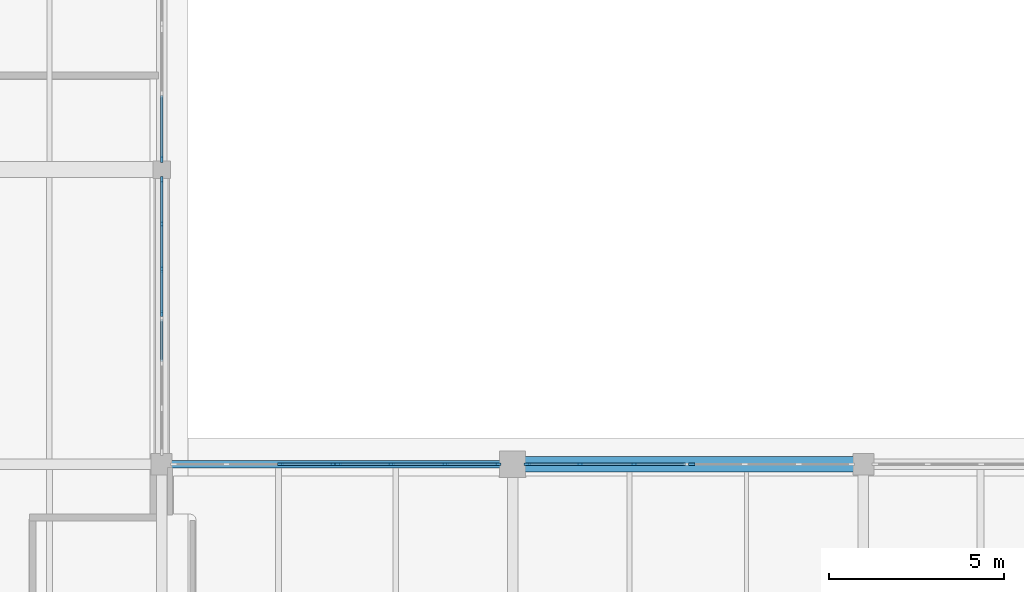
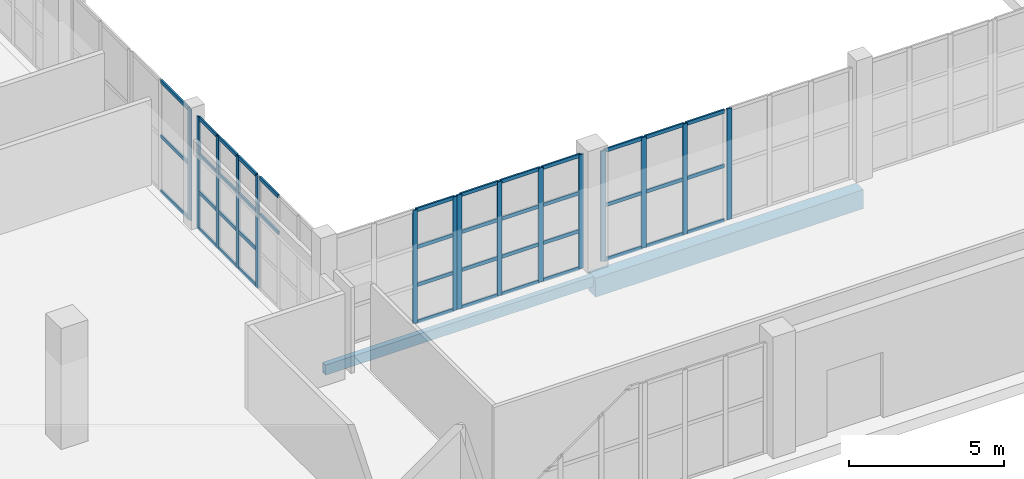
# One storey, part 30 of 121: 57 members, 2 beams, 7 elements without a shape of their own.
"""IFC4 building model written with IfcOpenShell, lengths in metres."""

from ifc_helpers import new_model, si_unit, direction, frame, origin, origin_2d, place, context, subcontext, project, spatial, rectangle, hollow_rectangle, extrude, material, layer, layer_set, material_profile, profile_set, type_object, element, aggregate, save


model = new_model("IFC4")

# Units and contexts
model_context = context("Model", 3, precision=1e-05, world=origin(), true_north=direction((0.0, 1.0)))
body_context = subcontext(model_context, "Body", "Model", "MODEL_VIEW")
ifc_project = project(units=[si_unit("LENGTHUNIT", "METRE"), si_unit("AREAUNIT", "SQUARE_METRE"), si_unit("VOLUMEUNIT", "CUBIC_METRE"), si_unit("PLANEANGLEUNIT", "RADIAN"), si_unit("MASSUNIT", "GRAM", prefix="KILO")], contexts=[model_context])

# Site, building, storey
site_placement = place(None, origin())
site = spatial("IfcSite", under=ifc_project, at=site_placement, CompositionType="ELEMENT")
building_placement = place(site_placement, origin())
building = spatial("IfcBuilding", under=site, at=building_placement, Name="Zereglee Splitstone Museum", CompositionType="ELEMENT")
storey_placement = place(building_placement, origin())
storey = spatial("IfcBuildingStorey", under=building, at=storey_placement, Name="L00", CompositionType="ELEMENT", Elevation=0.0)

# Curtain wall, member
ifc_material_1 = material(Name="Triple-glazed low-E argon glass and bronze-anodised aluminium", Category="aluminium")
ifc_layer_1 = layer(ifc_material_1, 0.179931640625)
ifc_layer_set_1 = layer_set([ifc_layer_1], Name="Triple-glazed low-E argon glass and bronze-anodised aluminium")
curtain_wall_type_1 = type_object("IfcCurtainWallType", Name="CW-0461-438", PredefinedType="USERDEFINED", material=ifc_layer_set_1)
curtain_wall_1_placement = place(storey_placement, origin())
curtain_wall_1 = element("IfcCurtainWall", 1, at=curtain_wall_1_placement, inside=storey, type_object=curtain_wall_type_1, Name="Glazed Curtain Wall CW-0461-438 (L00)", ObjectType="GLAZED CURTAIN WALL", PredefinedType="USERDEFINED")
ifc_material_2 = material(Name="Thermally broken bronze-anodised aluminium", Category="aluminium")
ifc_material_profile_1 = material_profile(ifc_material_2, rectangle(XDim=0.06494140625, YDim=0.179931640625, at=origin_2d()), Name="CW MULL 65x180")
ifc_profile_set_1 = profile_set([ifc_material_profile_1], Name="Thermally broken bronze-anodised aluminium")
member_type_1 = type_object("IfcMemberType", Name="CWM-01", PredefinedType="MULLION", material=ifc_profile_set_1)
member_1_placement = place(storey_placement, frame((160.31005859375, 21.60009765625, 0.0), z_axis=(0.0, 0.0, 1.0), x_axis=(0.0, -1.0, 0.0)))
member_1 = element("IfcMember", 2, at=member_1_placement, type_object=member_type_1, Name="CW-0461-438 mullion 4", PredefinedType="MULLION", context=body_context, shape_type="SweptSolid", body=[
    extrude(rectangle(XDim=0.06494140625, YDim=0.179931640625, at=origin_2d()), origin(), (0.0, 0.0, 1.0), 4.3798828125),
])
aggregate(curtain_wall_1, [member_1])

# Curtain wall, members
ifc_layer_2 = layer(ifc_material_1, 0.179931640625)
ifc_layer_set_2 = layer_set([ifc_layer_2], Name="Triple-glazed low-E argon glass and bronze-anodised aluminium")
curtain_wall_type_2 = type_object("IfcCurtainWallType", Name="CW-0461-436", PredefinedType="USERDEFINED", material=ifc_layer_set_2)
curtain_wall_2_placement = place(storey_placement, origin())
curtain_wall_2 = element("IfcCurtainWall", 3, at=curtain_wall_2_placement, inside=storey, type_object=curtain_wall_type_2, Name="Glazed Curtain Wall CW-0461-436 (L00)", ObjectType="GLAZED CURTAIN WALL", PredefinedType="USERDEFINED")
member_2_placement = place(storey_placement, frame((158.659423828125, 21.60009765625, 0.0), z_axis=(0.0, 0.0, 1.0), x_axis=(0.0, -1.0, 0.0)))
member_2 = element("IfcMember", 4, at=member_2_placement, type_object=member_type_1, Name="CW-0461-436 mullion 2", PredefinedType="MULLION", context=body_context, shape_type="SweptSolid", body=[
    extrude(rectangle(XDim=0.06494140625, YDim=0.179931640625, at=origin_2d()), origin(), (0.0, 0.0, 1.0), 4.360107421875),
])
member_3_placement = place(storey_placement, frame((157.12109375, 21.60009765625, 0.0), z_axis=(0.0, 0.0, 1.0), x_axis=(0.0, -1.0, 0.0)))
member_3 = element("IfcMember", 5, at=member_3_placement, type_object=member_type_1, Name="CW-0461-436 mullion 3", PredefinedType="MULLION", context=body_context, shape_type="SweptSolid", body=[
    extrude(rectangle(XDim=0.06494140625, YDim=0.179931640625, at=origin_2d()), origin(), (0.0, 0.0, 1.0), 4.360107421875),
])
member_4_placement = place(storey_placement, frame((155.615478515625, 21.60009765625, 0.0), z_axis=(0.0, 0.0, 1.0), x_axis=(0.0, -1.0, 0.0)))
member_4 = element("IfcMember", 6, at=member_4_placement, type_object=member_type_1, Name="CW-0461-436 mullion 4", PredefinedType="MULLION", context=body_context, shape_type="SweptSolid", body=[
    extrude(rectangle(XDim=0.06494140625, YDim=0.179931640625, at=origin_2d()), origin(), (0.0, 0.0, 1.0), 4.360107421875),
])

ifc_layer_3 = layer(ifc_material_1, 0.179931640625)
ifc_layer_set_3 = layer_set([ifc_layer_3], Name="Triple-glazed low-E argon glass and bronze-anodised aluminium")
curtain_wall_type_3 = type_object("IfcCurtainWallType", Name="CW-0461-450", PredefinedType="USERDEFINED", material=ifc_layer_set_3)
curtain_wall_3_placement = place(storey_placement, origin())
curtain_wall_3 = element("IfcCurtainWall", 7, at=curtain_wall_3_placement, inside=storey, type_object=curtain_wall_type_3, Name="Glazed Curtain Wall CW-0461-450 (L00)", ObjectType="GLAZED CURTAIN WALL", PredefinedType="USERDEFINED")
member_5_placement = place(storey_placement, frame((154.784423828125, 21.60009765625, 0.0), z_axis=(0.0, 0.0, 1.0), x_axis=(0.0, -1.0, 0.0)))
member_5 = element("IfcMember", 8, at=member_5_placement, type_object=member_type_1, Name="CW-0461-450 mullion 1", PredefinedType="MULLION", context=body_context, shape_type="SweptSolid", body=[
    extrude(rectangle(XDim=0.06494140625, YDim=0.179931640625, at=origin_2d()), origin(), (0.0, 0.0, 1.0), 4.5),
])
member_6_placement = place(storey_placement, frame((153.27880859375, 21.60009765625, 0.0), z_axis=(0.0, 0.0, 1.0), x_axis=(0.0, -1.0, 0.0)))
member_6 = element("IfcMember", 9, at=member_6_placement, type_object=member_type_1, Name="CW-0461-450 mullion 2", PredefinedType="MULLION", context=body_context, shape_type="SweptSolid", body=[
    extrude(rectangle(XDim=0.06494140625, YDim=0.179931640625, at=origin_2d()), origin(), (0.0, 0.0, 1.0), 4.5),
])
member_7_placement = place(storey_placement, frame((151.74072265625, 21.60009765625, 0.0), z_axis=(0.0, 0.0, 1.0), x_axis=(0.0, -1.0, 0.0)))
member_7 = element("IfcMember", 10, at=member_7_placement, type_object=member_type_1, Name="CW-0461-450 mullion 3", PredefinedType="MULLION", context=body_context, shape_type="SweptSolid", body=[
    extrude(rectangle(XDim=0.06494140625, YDim=0.179931640625, at=origin_2d()), origin(), (0.0, 0.0, 1.0), 4.5),
])
member_8_placement = place(storey_placement, frame((150.235107421875, 21.60009765625, 0.0), z_axis=(0.0, 0.0, 1.0), x_axis=(0.0, -1.0, 0.0)))
member_8 = element("IfcMember", 11, at=member_8_placement, type_object=member_type_1, Name="CW-0461-450 mullion 4", PredefinedType="MULLION", context=body_context, shape_type="SweptSolid", body=[
    extrude(rectangle(XDim=0.06494140625, YDim=0.179931640625, at=origin_2d()), origin(), (0.0, 0.0, 1.0), 4.5),
])

ifc_layer_4 = layer(ifc_material_1, 0.179931640625)
ifc_layer_set_4 = layer_set([ifc_layer_4], Name="Triple-glazed low-E argon glass and bronze-anodised aluminium")
curtain_wall_type_4 = type_object("IfcCurtainWallType", Name="CW-0461-448", PredefinedType="USERDEFINED", material=ifc_layer_set_4)
curtain_wall_4_placement = place(storey_placement, origin())
curtain_wall_4 = element("IfcCurtainWall", 12, at=curtain_wall_4_placement, inside=storey, type_object=curtain_wall_type_4, Name="Glazed Curtain Wall CW-0461-448 (L00)", ObjectType="GLAZED CURTAIN WALL", PredefinedType="USERDEFINED")
member_9_placement = place(storey_placement, frame((150.090087890625, 21.60009765625, 0.0), z_axis=(0.0, 0.0, 1.0), x_axis=(0.0, -1.0, 0.0)))
member_9 = element("IfcMember", 13, at=member_9_placement, type_object=member_type_1, Name="CW-0461-448 mullion 1", PredefinedType="MULLION", context=body_context, shape_type="SweptSolid", body=[
    extrude(rectangle(XDim=0.06494140625, YDim=0.179931640625, at=origin_2d()), origin(), (0.0, 0.0, 1.0), 4.47998046875),
])
member_10_placement = place(storey_placement, frame((148.584228515625, 21.60009765625, 0.0), z_axis=(0.0, 0.0, 1.0), x_axis=(0.0, -1.0, 0.0)))
member_10 = element("IfcMember", 14, at=member_10_placement, type_object=member_type_1, Name="CW-0461-448 mullion 2", PredefinedType="MULLION", context=body_context, shape_type="SweptSolid", body=[
    extrude(rectangle(XDim=0.06494140625, YDim=0.179931640625, at=origin_2d()), origin(), (0.0, 0.0, 1.0), 4.47998046875),
])

ifc_layer_5 = layer(ifc_material_1, 0.179931640625)
ifc_layer_set_5 = layer_set([ifc_layer_5], Name="Triple-glazed low-E argon glass and bronze-anodised aluminium")
curtain_wall_type_5 = type_object("IfcCurtainWallType", Name="CW-0388-442", PredefinedType="USERDEFINED", material=ifc_layer_set_5)
curtain_wall_5_placement = place(storey_placement, origin())
curtain_wall_5 = element("IfcCurtainWall", 15, at=curtain_wall_5_placement, inside=storey, type_object=curtain_wall_type_5, Name="Glazed Curtain Wall CW-0388-442 (L00)", ObjectType="GLAZED CURTAIN WALL", PredefinedType="USERDEFINED")
member_11_placement = place(storey_placement, frame((145.199951171875, 25.8974609375, 0.0), z_axis=(0.0, 0.0, 1.0), x_axis=(-1.0, 0.0, 0.0)))
member_11 = element("IfcMember", 16, at=member_11_placement, type_object=member_type_1, Name="CW-0388-442 mullion 1", PredefinedType="MULLION", context=body_context, shape_type="SweptSolid", body=[
    extrude(rectangle(XDim=0.06494140625, YDim=0.179931640625, at=origin_2d()), origin(), (0.0, 0.0, 1.0), 4.419921875),
])
member_12_placement = place(storey_placement, frame((145.199951171875, 27.1572265625, 0.0), z_axis=(0.0, 0.0, 1.0), x_axis=(-1.0, 0.0, 0.0)))
member_12 = element("IfcMember", 17, at=member_12_placement, type_object=member_type_1, Name="CW-0388-442 mullion 2", PredefinedType="MULLION", context=body_context, shape_type="SweptSolid", body=[
    extrude(rectangle(XDim=0.06494140625, YDim=0.179931640625, at=origin_2d()), origin(), (0.0, 0.0, 1.0), 4.419921875),
])
member_13_placement = place(storey_placement, frame((145.199951171875, 28.44970703125, 0.0), z_axis=(0.0, 0.0, 1.0), x_axis=(-1.0, 0.0, 0.0)))
member_13 = element("IfcMember", 18, at=member_13_placement, type_object=member_type_1, Name="CW-0388-442 mullion 3", PredefinedType="MULLION", context=body_context, shape_type="SweptSolid", body=[
    extrude(rectangle(XDim=0.06494140625, YDim=0.179931640625, at=origin_2d()), origin(), (0.0, 0.0, 1.0), 4.419921875),
])
member_14_placement = place(storey_placement, frame((145.199951171875, 29.70947265625, 0.0), z_axis=(0.0, 0.0, 1.0), x_axis=(-1.0, 0.0, 0.0)))
member_14 = element("IfcMember", 19, at=member_14_placement, type_object=member_type_1, Name="CW-0388-442 mullion 4", PredefinedType="MULLION", context=body_context, shape_type="SweptSolid", body=[
    extrude(rectangle(XDim=0.06494140625, YDim=0.179931640625, at=origin_2d()), origin(), (0.0, 0.0, 1.0), 4.419921875),
])

# Curtain wall, member
ifc_layer_6 = layer(ifc_material_1, 0.179931640625)
ifc_layer_set_6 = layer_set([ifc_layer_6], Name="Triple-glazed low-E argon glass and bronze-anodised aluminium")
curtain_wall_type_6 = type_object("IfcCurtainWallType", Name="CW-0378-438", PredefinedType="USERDEFINED", material=ifc_layer_set_6)
curtain_wall_6_placement = place(storey_placement, origin())
curtain_wall_6 = element("IfcCurtainWall", 20, at=curtain_wall_6_placement, inside=storey, type_object=curtain_wall_type_6, Name="Glazed Curtain Wall CW-0378-438 (L00)", ObjectType="GLAZED CURTAIN WALL", PredefinedType="USERDEFINED")
member_15_placement = place(storey_placement, frame((145.199951171875, 30.29052734375, 0.0), z_axis=(0.0, 0.0, 1.0), x_axis=(-1.0, 0.0, 0.0)))
member_15 = element("IfcMember", 21, at=member_15_placement, type_object=member_type_1, Name="CW-0378-438 mullion 1", PredefinedType="MULLION", context=body_context, shape_type="SweptSolid", body=[
    extrude(rectangle(XDim=0.06494140625, YDim=0.179931640625, at=origin_2d()), origin(), (0.0, 0.0, 1.0), 4.3798828125),
])

# Member
ifc_material_profile_2 = material_profile(ifc_material_2, rectangle(XDim=0.06494140625, YDim=0.139892578125, at=origin_2d()), Name="CW TRAN 65x140")
ifc_profile_set_2 = profile_set([ifc_material_profile_2], Name="Thermally broken bronze-anodised aluminium")
member_type_2 = type_object("IfcMemberType", Name="CWT-01", PredefinedType="USERDEFINED", material=ifc_profile_set_2)
member_16_placement = place(storey_placement, frame((160.132568359375, 21.60009765625, 0.032470703125), z_axis=(-1.0, 0.0, 0.0), x_axis=(0.0, -1.0, 0.0)))
member_16 = element("IfcMember", 22, at=member_16_placement, type_object=member_type_2, Name="CW-0461-436 transom 1.1", ObjectType="TRANSOM", PredefinedType="USERDEFINED", context=body_context, shape_type="SweptSolid", body=[
    extrude(rectangle(XDim=0.06494140625, YDim=0.139892578125, at=origin_2d()), origin(), (0.0, 0.0, 1.0), 1.440673828125),
])

member_17_placement = place(storey_placement, frame((160.132568359375, 21.60009765625, 2.179931640625), z_axis=(-1.0, 0.0, 0.0), x_axis=(0.0, -1.0, 0.0)))
member_17 = element("IfcMember", 23, at=member_17_placement, type_object=member_type_2, Name="CW-0461-436 transom 1.2", ObjectType="TRANSOM", PredefinedType="USERDEFINED", context=body_context, shape_type="SweptSolid", body=[
    extrude(rectangle(XDim=0.06494140625, YDim=0.139892578125, at=origin_2d()), origin(), (0.0, 0.0, 1.0), 1.440673828125),
])

member_18_placement = place(storey_placement, frame((160.132568359375, 21.60009765625, 4.327392578125), z_axis=(-1.0, 0.0, 0.0), x_axis=(0.0, -1.0, 0.0)))
member_18 = element("IfcMember", 24, at=member_18_placement, type_object=member_type_2, Name="CW-0461-436 transom 1.3", ObjectType="TRANSOM", PredefinedType="USERDEFINED", context=body_context, shape_type="SweptSolid", body=[
    extrude(rectangle(XDim=0.06494140625, YDim=0.139892578125, at=origin_2d()), origin(), (0.0, 0.0, 1.0), 1.440673828125),
])

member_19_placement = place(storey_placement, frame((158.626953125, 21.60009765625, 0.032470703125), z_axis=(-1.0, 0.0, 0.0), x_axis=(0.0, -1.0, 0.0)))
member_19 = element("IfcMember", 25, at=member_19_placement, type_object=member_type_2, Name="CW-0461-436 transom 2.1", ObjectType="TRANSOM", PredefinedType="USERDEFINED", context=body_context, shape_type="SweptSolid", body=[
    extrude(rectangle(XDim=0.06494140625, YDim=0.139892578125, at=origin_2d()), origin(), (0.0, 0.0, 1.0), 1.473388671875),
])

member_20_placement = place(storey_placement, frame((158.626953125, 21.60009765625, 2.179931640625), z_axis=(-1.0, 0.0, 0.0), x_axis=(0.0, -1.0, 0.0)))
member_20 = element("IfcMember", 26, at=member_20_placement, type_object=member_type_2, Name="CW-0461-436 transom 2.2", ObjectType="TRANSOM", PredefinedType="USERDEFINED", context=body_context, shape_type="SweptSolid", body=[
    extrude(rectangle(XDim=0.06494140625, YDim=0.139892578125, at=origin_2d()), origin(), (0.0, 0.0, 1.0), 1.473388671875),
])

member_21_placement = place(storey_placement, frame((158.626953125, 21.60009765625, 4.327392578125), z_axis=(-1.0, 0.0, 0.0), x_axis=(0.0, -1.0, 0.0)))
member_21 = element("IfcMember", 27, at=member_21_placement, type_object=member_type_2, Name="CW-0461-436 transom 2.3", ObjectType="TRANSOM", PredefinedType="USERDEFINED", context=body_context, shape_type="SweptSolid", body=[
    extrude(rectangle(XDim=0.06494140625, YDim=0.139892578125, at=origin_2d()), origin(), (0.0, 0.0, 1.0), 1.473388671875),
])

member_22_placement = place(storey_placement, frame((157.088623046875, 21.60009765625, 0.032470703125), z_axis=(-1.0, 0.0, 0.0), x_axis=(0.0, -1.0, 0.0)))
member_22 = element("IfcMember", 28, at=member_22_placement, type_object=member_type_2, Name="CW-0461-436 transom 3.1", ObjectType="TRANSOM", PredefinedType="USERDEFINED", context=body_context, shape_type="SweptSolid", body=[
    extrude(rectangle(XDim=0.06494140625, YDim=0.139892578125, at=origin_2d()), origin(), (0.0, 0.0, 1.0), 1.440673828125),
])

member_23_placement = place(storey_placement, frame((157.088623046875, 21.60009765625, 2.179931640625), z_axis=(-1.0, 0.0, 0.0), x_axis=(0.0, -1.0, 0.0)))
member_23 = element("IfcMember", 29, at=member_23_placement, type_object=member_type_2, Name="CW-0461-436 transom 3.2", ObjectType="TRANSOM", PredefinedType="USERDEFINED", context=body_context, shape_type="SweptSolid", body=[
    extrude(rectangle(XDim=0.06494140625, YDim=0.139892578125, at=origin_2d()), origin(), (0.0, 0.0, 1.0), 1.440673828125),
])

member_24_placement = place(storey_placement, frame((157.088623046875, 21.60009765625, 4.327392578125), z_axis=(-1.0, 0.0, 0.0), x_axis=(0.0, -1.0, 0.0)))
member_24 = element("IfcMember", 30, at=member_24_placement, type_object=member_type_2, Name="CW-0461-436 transom 3.3", ObjectType="TRANSOM", PredefinedType="USERDEFINED", context=body_context, shape_type="SweptSolid", body=[
    extrude(rectangle(XDim=0.06494140625, YDim=0.139892578125, at=origin_2d()), origin(), (0.0, 0.0, 1.0), 1.440673828125),
])

aggregate(curtain_wall_2, [member_2, member_3, member_4, member_16, member_17, member_18, member_19, member_20, member_21, member_22, member_23, member_24])

member_25_placement = place(storey_placement, frame((154.751953125, 21.60009765625, 0.032470703125), z_axis=(-1.0, 0.0, 0.0), x_axis=(0.0, -1.0, 0.0)))
member_25 = element("IfcMember", 31, at=member_25_placement, type_object=member_type_2, Name="CW-0461-450 transom 1.1", ObjectType="TRANSOM", PredefinedType="USERDEFINED", context=body_context, shape_type="SweptSolid", body=[
    extrude(rectangle(XDim=0.06494140625, YDim=0.139892578125, at=origin_2d()), origin(), (0.0, 0.0, 1.0), 1.440673828125),
])

member_26_placement = place(storey_placement, frame((154.751953125, 21.60009765625, 1.5), z_axis=(-1.0, 0.0, 0.0), x_axis=(0.0, -1.0, 0.0)))
member_26 = element("IfcMember", 32, at=member_26_placement, type_object=member_type_2, Name="CW-0461-450 transom 1.2", ObjectType="TRANSOM", PredefinedType="USERDEFINED", context=body_context, shape_type="SweptSolid", body=[
    extrude(rectangle(XDim=0.06494140625, YDim=0.139892578125, at=origin_2d()), origin(), (0.0, 0.0, 1.0), 1.440673828125),
])

member_27_placement = place(storey_placement, frame((154.751953125, 21.60009765625, 3.0), z_axis=(-1.0, 0.0, 0.0), x_axis=(0.0, -1.0, 0.0)))
member_27 = element("IfcMember", 33, at=member_27_placement, type_object=member_type_2, Name="CW-0461-450 transom 1.3", ObjectType="TRANSOM", PredefinedType="USERDEFINED", context=body_context, shape_type="SweptSolid", body=[
    extrude(rectangle(XDim=0.06494140625, YDim=0.139892578125, at=origin_2d()), origin(), (0.0, 0.0, 1.0), 1.440673828125),
])

member_28_placement = place(storey_placement, frame((154.751953125, 21.60009765625, 4.467529296875), z_axis=(-1.0, 0.0, 0.0), x_axis=(0.0, -1.0, 0.0)))
member_28 = element("IfcMember", 34, at=member_28_placement, type_object=member_type_2, Name="CW-0461-450 transom 1.4", ObjectType="TRANSOM", PredefinedType="USERDEFINED", context=body_context, shape_type="SweptSolid", body=[
    extrude(rectangle(XDim=0.06494140625, YDim=0.139892578125, at=origin_2d()), origin(), (0.0, 0.0, 1.0), 1.440673828125),
])

member_29_placement = place(storey_placement, frame((153.246337890625, 21.60009765625, 0.032470703125), z_axis=(-1.0, 0.0, 0.0), x_axis=(0.0, -1.0, 0.0)))
member_29 = element("IfcMember", 35, at=member_29_placement, type_object=member_type_2, Name="CW-0461-450 transom 2.1", ObjectType="TRANSOM", PredefinedType="USERDEFINED", context=body_context, shape_type="SweptSolid", body=[
    extrude(rectangle(XDim=0.06494140625, YDim=0.139892578125, at=origin_2d()), origin(), (0.0, 0.0, 1.0), 1.47314453125),
])

member_30_placement = place(storey_placement, frame((153.246337890625, 21.60009765625, 1.5), z_axis=(-1.0, 0.0, 0.0), x_axis=(0.0, -1.0, 0.0)))
member_30 = element("IfcMember", 36, at=member_30_placement, type_object=member_type_2, Name="CW-0461-450 transom 2.2", ObjectType="TRANSOM", PredefinedType="USERDEFINED", context=body_context, shape_type="SweptSolid", body=[
    extrude(rectangle(XDim=0.06494140625, YDim=0.139892578125, at=origin_2d()), origin(), (0.0, 0.0, 1.0), 1.47314453125),
])

member_31_placement = place(storey_placement, frame((153.246337890625, 21.60009765625, 3.0), z_axis=(-1.0, 0.0, 0.0), x_axis=(0.0, -1.0, 0.0)))
member_31 = element("IfcMember", 37, at=member_31_placement, type_object=member_type_2, Name="CW-0461-450 transom 2.3", ObjectType="TRANSOM", PredefinedType="USERDEFINED", context=body_context, shape_type="SweptSolid", body=[
    extrude(rectangle(XDim=0.06494140625, YDim=0.139892578125, at=origin_2d()), origin(), (0.0, 0.0, 1.0), 1.47314453125),
])

member_32_placement = place(storey_placement, frame((153.246337890625, 21.60009765625, 4.467529296875), z_axis=(-1.0, 0.0, 0.0), x_axis=(0.0, -1.0, 0.0)))
member_32 = element("IfcMember", 38, at=member_32_placement, type_object=member_type_2, Name="CW-0461-450 transom 2.4", ObjectType="TRANSOM", PredefinedType="USERDEFINED", context=body_context, shape_type="SweptSolid", body=[
    extrude(rectangle(XDim=0.06494140625, YDim=0.139892578125, at=origin_2d()), origin(), (0.0, 0.0, 1.0), 1.47314453125),
])

member_33_placement = place(storey_placement, frame((151.708251953125, 21.60009765625, 0.032470703125), z_axis=(-1.0, 0.0, 0.0), x_axis=(0.0, -1.0, 0.0)))
member_33 = element("IfcMember", 39, at=member_33_placement, type_object=member_type_2, Name="CW-0461-450 transom 3.1", ObjectType="TRANSOM", PredefinedType="USERDEFINED", context=body_context, shape_type="SweptSolid", body=[
    extrude(rectangle(XDim=0.06494140625, YDim=0.139892578125, at=origin_2d()), origin(), (0.0, 0.0, 1.0), 1.440673828125),
])

member_34_placement = place(storey_placement, frame((151.708251953125, 21.60009765625, 1.5), z_axis=(-1.0, 0.0, 0.0), x_axis=(0.0, -1.0, 0.0)))
member_34 = element("IfcMember", 40, at=member_34_placement, type_object=member_type_2, Name="CW-0461-450 transom 3.2", ObjectType="TRANSOM", PredefinedType="USERDEFINED", context=body_context, shape_type="SweptSolid", body=[
    extrude(rectangle(XDim=0.06494140625, YDim=0.139892578125, at=origin_2d()), origin(), (0.0, 0.0, 1.0), 1.440673828125),
])

member_35_placement = place(storey_placement, frame((151.708251953125, 21.60009765625, 3.0), z_axis=(-1.0, 0.0, 0.0), x_axis=(0.0, -1.0, 0.0)))
member_35 = element("IfcMember", 41, at=member_35_placement, type_object=member_type_2, Name="CW-0461-450 transom 3.3", ObjectType="TRANSOM", PredefinedType="USERDEFINED", context=body_context, shape_type="SweptSolid", body=[
    extrude(rectangle(XDim=0.06494140625, YDim=0.139892578125, at=origin_2d()), origin(), (0.0, 0.0, 1.0), 1.440673828125),
])

member_36_placement = place(storey_placement, frame((151.708251953125, 21.60009765625, 4.467529296875), z_axis=(-1.0, 0.0, 0.0), x_axis=(0.0, -1.0, 0.0)))
member_36 = element("IfcMember", 42, at=member_36_placement, type_object=member_type_2, Name="CW-0461-450 transom 3.4", ObjectType="TRANSOM", PredefinedType="USERDEFINED", context=body_context, shape_type="SweptSolid", body=[
    extrude(rectangle(XDim=0.06494140625, YDim=0.139892578125, at=origin_2d()), origin(), (0.0, 0.0, 1.0), 1.440673828125),
])

aggregate(curtain_wall_3, [member_5, member_6, member_7, member_8, member_25, member_26, member_27, member_28, member_29, member_30, member_31, member_32, member_33, member_34, member_35, member_36])

member_37_placement = place(storey_placement, frame((150.0576171875, 21.60009765625, 0.032470703125), z_axis=(-1.0, 0.0, 0.0), x_axis=(0.0, -1.0, 0.0)))
member_37 = element("IfcMember", 43, at=member_37_placement, type_object=member_type_2, Name="CW-0461-448 transom 1.1", ObjectType="TRANSOM", PredefinedType="USERDEFINED", context=body_context, shape_type="SweptSolid", body=[
    extrude(rectangle(XDim=0.06494140625, YDim=0.139892578125, at=origin_2d()), origin(), (0.0, 0.0, 1.0), 1.440673828125),
])

member_38_placement = place(storey_placement, frame((150.0576171875, 21.60009765625, 1.493408203125), z_axis=(-1.0, 0.0, 0.0), x_axis=(0.0, -1.0, 0.0)))
member_38 = element("IfcMember", 44, at=member_38_placement, type_object=member_type_2, Name="CW-0461-448 transom 1.2", ObjectType="TRANSOM", PredefinedType="USERDEFINED", context=body_context, shape_type="SweptSolid", body=[
    extrude(rectangle(XDim=0.06494140625, YDim=0.139892578125, at=origin_2d()), origin(), (0.0, 0.0, 1.0), 1.440673828125),
])

member_39_placement = place(storey_placement, frame((150.0576171875, 21.60009765625, 2.98681640625), z_axis=(-1.0, 0.0, 0.0), x_axis=(0.0, -1.0, 0.0)))
member_39 = element("IfcMember", 45, at=member_39_placement, type_object=member_type_2, Name="CW-0461-448 transom 1.3", ObjectType="TRANSOM", PredefinedType="USERDEFINED", context=body_context, shape_type="SweptSolid", body=[
    extrude(rectangle(XDim=0.06494140625, YDim=0.139892578125, at=origin_2d()), origin(), (0.0, 0.0, 1.0), 1.440673828125),
])

member_40_placement = place(storey_placement, frame((150.0576171875, 21.60009765625, 4.447509765625), z_axis=(-1.0, 0.0, 0.0), x_axis=(0.0, -1.0, 0.0)))
member_40 = element("IfcMember", 46, at=member_40_placement, type_object=member_type_2, Name="CW-0461-448 transom 1.4", ObjectType="TRANSOM", PredefinedType="USERDEFINED", context=body_context, shape_type="SweptSolid", body=[
    extrude(rectangle(XDim=0.06494140625, YDim=0.139892578125, at=origin_2d()), origin(), (0.0, 0.0, 1.0), 1.440673828125),
])

aggregate(curtain_wall_4, [member_9, member_10, member_37, member_38, member_39, member_40])

# Curtain wall, members
ifc_layer_7 = layer(ifc_material_1, 0.179931640625)
ifc_layer_set_7 = layer_set([ifc_layer_7], Name="Triple-glazed low-E argon glass and bronze-anodised aluminium")
curtain_wall_type_7 = type_object("IfcCurtainWallType", Name="CW-0388-444", PredefinedType="USERDEFINED", material=ifc_layer_set_7)
curtain_wall_7_placement = place(storey_placement, origin())
curtain_wall_7 = element("IfcCurtainWall", 47, at=curtain_wall_7_placement, inside=storey, type_object=curtain_wall_type_7, Name="Glazed Curtain Wall CW-0388-444 (L00)", ObjectType="GLAZED CURTAIN WALL", PredefinedType="USERDEFINED")
member_41_placement = place(storey_placement, frame((145.199951171875, 24.525146484375, 2.9599609375), z_axis=(0.0, 1.0, 0.0), x_axis=(-1.0, 0.0, 0.0)))
member_41 = element("IfcMember", 48, at=member_41_placement, type_object=member_type_2, Name="CW-0388-444 transom 3.3", ObjectType="TRANSOM", PredefinedType="USERDEFINED", context=body_context, shape_type="SweptSolid", body=[
    extrude(rectangle(XDim=0.06494140625, YDim=0.139892578125, at=origin_2d()), origin(), (0.0, 0.0, 1.0), 1.19482421875),
])
member_42_placement = place(storey_placement, frame((145.199951171875, 24.525146484375, 4.407470703125), z_axis=(0.0, 1.0, 0.0), x_axis=(-1.0, 0.0, 0.0)))
member_42 = element("IfcMember", 49, at=member_42_placement, type_object=member_type_2, Name="CW-0388-444 transom 3.4", ObjectType="TRANSOM", PredefinedType="USERDEFINED", context=body_context, shape_type="SweptSolid", body=[
    extrude(rectangle(XDim=0.06494140625, YDim=0.139892578125, at=origin_2d()), origin(), (0.0, 0.0, 1.0), 1.19482421875),
])
aggregate(curtain_wall_7, [member_41, member_42])

# Member
member_43_placement = place(storey_placement, frame((145.199951171875, 25.929931640625, 0.032470703125), z_axis=(0.0, 1.0, 0.0), x_axis=(-1.0, 0.0, 0.0)))
member_43 = element("IfcMember", 50, at=member_43_placement, type_object=member_type_2, Name="CW-0388-442 transom 1.1", ObjectType="TRANSOM", PredefinedType="USERDEFINED", context=body_context, shape_type="SweptSolid", body=[
    extrude(rectangle(XDim=0.06494140625, YDim=0.139892578125, at=origin_2d()), origin(), (0.0, 0.0, 1.0), 1.19482421875),
])

member_44_placement = place(storey_placement, frame((145.199951171875, 25.929931640625, 1.473388671875), z_axis=(0.0, 1.0, 0.0), x_axis=(-1.0, 0.0, 0.0)))
member_44 = element("IfcMember", 51, at=member_44_placement, type_object=member_type_2, Name="CW-0388-442 transom 1.2", ObjectType="TRANSOM", PredefinedType="USERDEFINED", context=body_context, shape_type="SweptSolid", body=[
    extrude(rectangle(XDim=0.06494140625, YDim=0.139892578125, at=origin_2d()), origin(), (0.0, 0.0, 1.0), 1.19482421875),
])

member_45_placement = place(storey_placement, frame((145.199951171875, 25.929931640625, 2.94677734375), z_axis=(0.0, 1.0, 0.0), x_axis=(-1.0, 0.0, 0.0)))
member_45 = element("IfcMember", 52, at=member_45_placement, type_object=member_type_2, Name="CW-0388-442 transom 1.3", ObjectType="TRANSOM", PredefinedType="USERDEFINED", context=body_context, shape_type="SweptSolid", body=[
    extrude(rectangle(XDim=0.06494140625, YDim=0.139892578125, at=origin_2d()), origin(), (0.0, 0.0, 1.0), 1.19482421875),
])

member_46_placement = place(storey_placement, frame((145.199951171875, 25.929931640625, 4.387451171875), z_axis=(0.0, 1.0, 0.0), x_axis=(-1.0, 0.0, 0.0)))
member_46 = element("IfcMember", 53, at=member_46_placement, type_object=member_type_2, Name="CW-0388-442 transom 1.4", ObjectType="TRANSOM", PredefinedType="USERDEFINED", context=body_context, shape_type="SweptSolid", body=[
    extrude(rectangle(XDim=0.06494140625, YDim=0.139892578125, at=origin_2d()), origin(), (0.0, 0.0, 1.0), 1.19482421875),
])

member_47_placement = place(storey_placement, frame((145.199951171875, 27.18994140625, 0.032470703125), z_axis=(0.0, 1.0, 0.0), x_axis=(-1.0, 0.0, 0.0)))
member_47 = element("IfcMember", 54, at=member_47_placement, type_object=member_type_2, Name="CW-0388-442 transom 2.1", ObjectType="TRANSOM", PredefinedType="USERDEFINED", context=body_context, shape_type="SweptSolid", body=[
    extrude(rectangle(XDim=0.06494140625, YDim=0.139892578125, at=origin_2d()), origin(), (0.0, 0.0, 1.0), 1.227294921875),
])

member_48_placement = place(storey_placement, frame((145.199951171875, 27.18994140625, 1.473388671875), z_axis=(0.0, 1.0, 0.0), x_axis=(-1.0, 0.0, 0.0)))
member_48 = element("IfcMember", 55, at=member_48_placement, type_object=member_type_2, Name="CW-0388-442 transom 2.2", ObjectType="TRANSOM", PredefinedType="USERDEFINED", context=body_context, shape_type="SweptSolid", body=[
    extrude(rectangle(XDim=0.06494140625, YDim=0.139892578125, at=origin_2d()), origin(), (0.0, 0.0, 1.0), 1.227294921875),
])

member_49_placement = place(storey_placement, frame((145.199951171875, 27.18994140625, 2.94677734375), z_axis=(0.0, 1.0, 0.0), x_axis=(-1.0, 0.0, 0.0)))
member_49 = element("IfcMember", 56, at=member_49_placement, type_object=member_type_2, Name="CW-0388-442 transom 2.3", ObjectType="TRANSOM", PredefinedType="USERDEFINED", context=body_context, shape_type="SweptSolid", body=[
    extrude(rectangle(XDim=0.06494140625, YDim=0.139892578125, at=origin_2d()), origin(), (0.0, 0.0, 1.0), 1.227294921875),
])

member_50_placement = place(storey_placement, frame((145.199951171875, 27.18994140625, 4.387451171875), z_axis=(0.0, 1.0, 0.0), x_axis=(-1.0, 0.0, 0.0)))
member_50 = element("IfcMember", 57, at=member_50_placement, type_object=member_type_2, Name="CW-0388-442 transom 2.4", ObjectType="TRANSOM", PredefinedType="USERDEFINED", context=body_context, shape_type="SweptSolid", body=[
    extrude(rectangle(XDim=0.06494140625, YDim=0.139892578125, at=origin_2d()), origin(), (0.0, 0.0, 1.0), 1.227294921875),
])

member_51_placement = place(storey_placement, frame((145.199951171875, 28.482177734375, 0.032470703125), z_axis=(0.0, 1.0, 0.0), x_axis=(-1.0, 0.0, 0.0)))
member_51 = element("IfcMember", 58, at=member_51_placement, type_object=member_type_2, Name="CW-0388-442 transom 3.1", ObjectType="TRANSOM", PredefinedType="USERDEFINED", context=body_context, shape_type="SweptSolid", body=[
    extrude(rectangle(XDim=0.06494140625, YDim=0.139892578125, at=origin_2d()), origin(), (0.0, 0.0, 1.0), 1.19482421875),
])

member_52_placement = place(storey_placement, frame((145.199951171875, 28.482177734375, 1.473388671875), z_axis=(0.0, 1.0, 0.0), x_axis=(-1.0, 0.0, 0.0)))
member_52 = element("IfcMember", 59, at=member_52_placement, type_object=member_type_2, Name="CW-0388-442 transom 3.2", ObjectType="TRANSOM", PredefinedType="USERDEFINED", context=body_context, shape_type="SweptSolid", body=[
    extrude(rectangle(XDim=0.06494140625, YDim=0.139892578125, at=origin_2d()), origin(), (0.0, 0.0, 1.0), 1.19482421875),
])

member_53_placement = place(storey_placement, frame((145.199951171875, 28.482177734375, 2.94677734375), z_axis=(0.0, 1.0, 0.0), x_axis=(-1.0, 0.0, 0.0)))
member_53 = element("IfcMember", 60, at=member_53_placement, type_object=member_type_2, Name="CW-0388-442 transom 3.3", ObjectType="TRANSOM", PredefinedType="USERDEFINED", context=body_context, shape_type="SweptSolid", body=[
    extrude(rectangle(XDim=0.06494140625, YDim=0.139892578125, at=origin_2d()), origin(), (0.0, 0.0, 1.0), 1.19482421875),
])

member_54_placement = place(storey_placement, frame((145.199951171875, 28.482177734375, 4.387451171875), z_axis=(0.0, 1.0, 0.0), x_axis=(-1.0, 0.0, 0.0)))
member_54 = element("IfcMember", 61, at=member_54_placement, type_object=member_type_2, Name="CW-0388-442 transom 3.4", ObjectType="TRANSOM", PredefinedType="USERDEFINED", context=body_context, shape_type="SweptSolid", body=[
    extrude(rectangle(XDim=0.06494140625, YDim=0.139892578125, at=origin_2d()), origin(), (0.0, 0.0, 1.0), 1.19482421875),
])

aggregate(curtain_wall_5, [member_11, member_12, member_13, member_14, member_43, member_44, member_45, member_46, member_47, member_48, member_49, member_50, member_51, member_52, member_53, member_54])

member_55_placement = place(storey_placement, frame((145.199951171875, 30.322998046875, 0.032470703125), z_axis=(0.0, 1.0, 0.0), x_axis=(-1.0, 0.0, 0.0)))
member_55 = element("IfcMember", 62, at=member_55_placement, type_object=member_type_2, Name="CW-0378-438 transom 1.1", ObjectType="TRANSOM", PredefinedType="USERDEFINED", context=body_context, shape_type="SweptSolid", body=[
    extrude(rectangle(XDim=0.06494140625, YDim=0.139892578125, at=origin_2d()), origin(), (0.0, 0.0, 1.0), 1.791015625),
])

member_56_placement = place(storey_placement, frame((145.199951171875, 30.322998046875, 2.18994140625), z_axis=(0.0, 1.0, 0.0), x_axis=(-1.0, 0.0, 0.0)))
member_56 = element("IfcMember", 63, at=member_56_placement, type_object=member_type_2, Name="CW-0378-438 transom 1.2", ObjectType="TRANSOM", PredefinedType="USERDEFINED", context=body_context, shape_type="SweptSolid", body=[
    extrude(rectangle(XDim=0.06494140625, YDim=0.139892578125, at=origin_2d()), origin(), (0.0, 0.0, 1.0), 1.791015625),
])

member_57_placement = place(storey_placement, frame((145.199951171875, 30.322998046875, 4.347412109375), z_axis=(0.0, 1.0, 0.0), x_axis=(-1.0, 0.0, 0.0)))
member_57 = element("IfcMember", 64, at=member_57_placement, type_object=member_type_2, Name="CW-0378-438 transom 1.3", ObjectType="TRANSOM", PredefinedType="USERDEFINED", context=body_context, shape_type="SweptSolid", body=[
    extrude(rectangle(XDim=0.06494140625, YDim=0.139892578125, at=origin_2d()), origin(), (0.0, 0.0, 1.0), 1.791015625),
])

aggregate(curtain_wall_6, [member_15, member_55, member_56, member_57])

# Beams
ifc_material_3 = material(Name="Concrete C40/50", Category="concrete")
ifc_material_profile_3 = material_profile(ifc_material_3, rectangle(XDim=0.449951171875, YDim=0.75, at=origin_2d()), Name="RC 450x750")
ifc_profile_set_3 = profile_set([ifc_material_profile_3], Name="Concrete C40/50")
beam_type_1 = type_object("IfcBeamType", Name="SP-01", PredefinedType="SPANDREL", material=ifc_profile_set_3)
beam_1_placement = place(storey_placement, frame((155.199951171875, 21.60009765625, -0.794921875), z_axis=(1.0, 0.0, 0.0), x_axis=(0.0, 1.0, 0.0)))
element("IfcBeam", 65, at=beam_1_placement, inside=storey, type_object=beam_type_1, Name="Primary Girder L00 C (155.2-165.2)", PredefinedType="SPANDREL", context=body_context, shape_type="SweptSolid", body=[
    extrude(rectangle(XDim=0.449951171875, YDim=0.75, at=origin_2d()), origin(), (0.0, 0.0, 1.0), 10.0),
])
ifc_material_4 = material(Name="Steel S355J2H", Category="steel")
ifc_material_profile_4 = material_profile(ifc_material_4, hollow_rectangle(XDim=0.199951171875, YDim=0.39990234375, WallThickness=0.01611328125, at=origin_2d()), Name="RHS 400x200x16")
ifc_profile_set_4 = profile_set([ifc_material_profile_4], Name="Steel S355J2H")
beam_type_2 = type_object("IfcBeamType", Name="SP-04", PredefinedType="SPANDREL", material=ifc_profile_set_4)
beam_2_placement = place(storey_placement, frame((145.199951171875, 21.60009765625, -0.6201171875), z_axis=(1.0, 0.0, 0.0), x_axis=(0.0, 1.0, 0.0)))
element("IfcBeam", 66, at=beam_2_placement, inside=storey, type_object=beam_type_2, Name="Primary Girder L00 C (145.2-155.2)", PredefinedType="SPANDREL", context=body_context, shape_type="SweptSolid", body=[
    extrude(hollow_rectangle(XDim=0.199951171875, YDim=0.39990234375, WallThickness=0.01611328125, at=origin_2d()), origin(), (0.0, 0.0, 1.0), 10.0),
])

save(model, "model.ifc")
